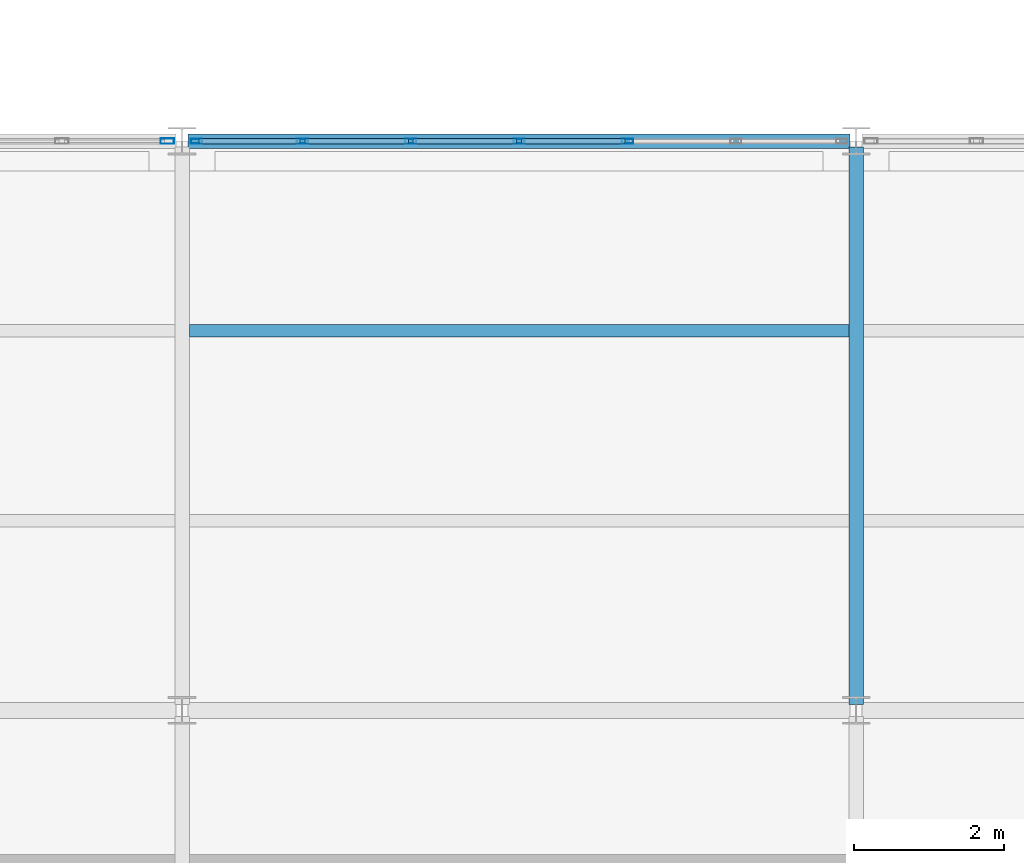
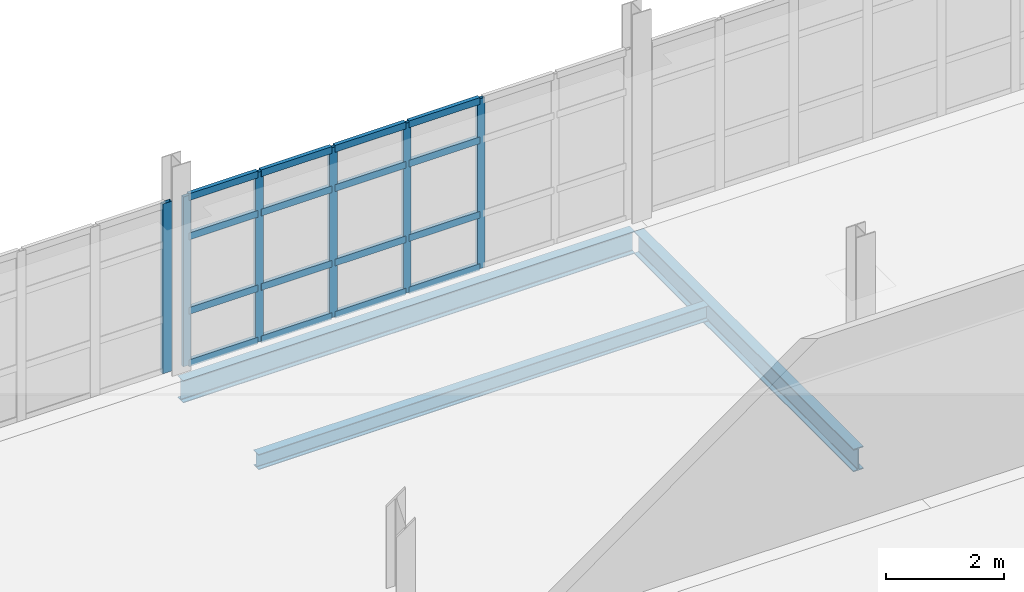
# One storey, part 55 of 174: 22 members, 3 beams, 2 elements without a shape of their own.
"""IFC4 building model written with IfcOpenShell, lengths in metres."""

from ifc_helpers import new_model, si_unit, direction, frame, origin, origin_2d, place, context, subcontext, project, spatial, hollow_rectangle, i_section, extrude, material, material_profile, profile_set, type_object, element, aggregate, save


model = new_model("IFC4")

# Units and contexts
model_context = context("Model", 3, precision=1e-05, world=origin(), true_north=direction((0.0, 1.0)))
body_context = subcontext(model_context, "Body", "Model", "MODEL_VIEW")
ifc_project = project(units=[si_unit("LENGTHUNIT", "METRE"), si_unit("AREAUNIT", "SQUARE_METRE"), si_unit("VOLUMEUNIT", "CUBIC_METRE"), si_unit("PLANEANGLEUNIT", "RADIAN"), si_unit("MASSUNIT", "GRAM", prefix="KILO")], contexts=[model_context])

# Site, building, storey
site_placement = place(None, origin())
site = spatial("IfcSite", under=ifc_project, at=site_placement, CompositionType="ELEMENT")
building_placement = place(site_placement, origin())
building = spatial("IfcBuilding", under=site, at=building_placement, Name="Caisbarro Railhouse Central Library", CompositionType="ELEMENT")
storey_placement = place(building_placement, frame((0.0, 0.0, 5.0400390625)))
storey = spatial("IfcBuildingStorey", under=building, at=storey_placement, Name="L01", CompositionType="ELEMENT", Elevation=5.0400390625)

# Beams
ifc_material_1 = material(Name="Steel ASTM A572 Grade 50", Category="steel")
ifc_material_profile_1 = material_profile(ifc_material_1, i_section(OverallWidth=0.194091796875, OverallDepth=0.468994140625, WebThickness=0.0126953125, FlangeThickness=0.0205078125, FilletRadius=0.01806640625, at=origin_2d()), Name="W460X106.0")
ifc_profile_set_1 = profile_set([ifc_material_profile_1], Name="Steel ASTM A572 Grade 50")
beam_type_1 = type_object("IfcBeamType", Name="BM-G07", PredefinedType="BEAM", material=ifc_profile_set_1)
beam_1_placement = place(storey_placement, frame((90.0, 22.8798828125, -0.474609375), z_axis=(0.0, 1.0, 0.0), x_axis=(-1.0, 0.0, 0.0)))
element("IfcBeam", 1, at=beam_1_placement, inside=storey, type_object=beam_type_1, Name="G07 beam L01 #741", PredefinedType="BEAM", context=body_context, shape_type="SweptSolid", body=[
    extrude(i_section(OverallWidth=0.194091796875, OverallDepth=0.468994140625, WebThickness=0.0126953125, FlangeThickness=0.0205078125, FilletRadius=0.01806640625, at=origin_2d()), origin(), (0.0, 0.0, 1.0), 7.440185546875),
])
ifc_material_profile_2 = material_profile(ifc_material_1, i_section(OverallWidth=0.1669921875, OverallDepth=0.31689453125, WebThickness=0.007568359375, FlangeThickness=0.01318359375, FilletRadius=0.011962890625, at=origin_2d()), Name="W310X52.0")
ifc_profile_set_2 = profile_set([ifc_material_profile_2], Name="Steel ASTM A572 Grade 50")
beam_type_2 = type_object("IfcBeamType", Name="BM-J02", PredefinedType="JOIST", material=ifc_profile_set_2)
beam_2_placement = place(storey_placement, frame((81.096923828125, 27.86669921875, -0.3984375), z_axis=(1.0, 0.0, 0.0), x_axis=(0.0, 1.0, 0.0)))
element("IfcBeam", 2, at=beam_2_placement, inside=storey, type_object=beam_type_2, Name="J02 beam L01 #777", PredefinedType="JOIST", context=body_context, shape_type="SweptSolid", body=[
    extrude(i_section(OverallWidth=0.1669921875, OverallDepth=0.31689453125, WebThickness=0.007568359375, FlangeThickness=0.01318359375, FilletRadius=0.011962890625, at=origin_2d()), origin(), (0.0, 0.0, 1.0), 8.80615234375),
])
ifc_material_profile_3 = material_profile(ifc_material_1, i_section(OverallWidth=0.18994140625, OverallDepth=0.45703125, WebThickness=0.009033203125, FlangeThickness=0.014404296875, FilletRadius=0.01806640625, at=origin_2d()), Name="W460X74.0")
ifc_profile_set_3 = profile_set([ifc_material_profile_3], Name="Steel ASTM A572 Grade 50")
beam_type_3 = type_object("IfcBeamType", Name="BM-SP01", PredefinedType="SPANDREL", material=ifc_profile_set_3)
beam_3_placement = place(storey_placement, frame((81.080078125, 30.39990234375, -0.468505859375), z_axis=(1.0, 0.0, 0.0), x_axis=(0.0, 1.0, 0.0)))
element("IfcBeam", 3, at=beam_3_placement, inside=storey, type_object=beam_type_3, Name="SP01 beam L01 #719", PredefinedType="SPANDREL", context=body_context, shape_type="SweptSolid", body=[
    extrude(i_section(OverallWidth=0.18994140625, OverallDepth=0.45703125, WebThickness=0.009033203125, FlangeThickness=0.014404296875, FilletRadius=0.01806640625, at=origin_2d()), origin(), (0.0, 0.0, 1.0), 8.83984375),
])

# Curtain wall, member
ifc_material_2 = material(Name="Anodised architectural aluminium", Category="aluminium")
curtain_wall_type = type_object("IfcCurtainWallType", Name="CW-CW02", PredefinedType="NOTDEFINED", material=ifc_material_2)
curtain_wall_1_placement = place(storey_placement, origin())
curtain_wall_1 = element("IfcCurtainWall", 4, at=curtain_wall_1_placement, inside=storey, type_object=curtain_wall_type, Name="CW02 curtain wall L01 #54", PredefinedType="NOTDEFINED")
ifc_material_profile_4 = material_profile(ifc_material_2, hollow_rectangle(XDim=0.074951171875, YDim=0.179931640625, WallThickness=0.00439453125, at=origin_2d()), Name="ALU-MUL-75X180")
ifc_profile_set_4 = profile_set([ifc_material_profile_4], Name="Anodised architectural aluminium")
member_type_1 = type_object("IfcMemberType", Name="CWM-M01", PredefinedType="MULLION", material=ifc_profile_set_4)
member_1_placement = place(storey_placement, frame((80.802490234375, 30.39990234375, 0.0), z_axis=(0.0, 0.0, 1.0), x_axis=(0.0, 1.0, 0.0)))
member_1 = element("IfcMember", 5, at=member_1_placement, type_object=member_type_1, Name="CW02 mullion 7", PredefinedType="MULLION", context=body_context, shape_type="SweptSolid", body=[
    extrude(hollow_rectangle(XDim=0.074951171875, YDim=0.179931640625, WallThickness=0.00439453125, at=origin_2d()), origin(), (0.0, 0.0, 1.0), 3.510009765625),
])
aggregate(curtain_wall_1, [member_1])

# Curtain wall, members
curtain_wall_2_placement = place(storey_placement, origin())
curtain_wall_2 = element("IfcCurtainWall", 6, at=curtain_wall_2_placement, inside=storey, type_object=curtain_wall_type, Name="CW02 curtain wall L01 #55", PredefinedType="NOTDEFINED")
ifc_material_profile_5 = material_profile(ifc_material_2, hollow_rectangle(XDim=0.06494140625, YDim=0.14990234375, WallThickness=0.00390625, at=origin_2d()), Name="ALU-MUL-65X150")
ifc_profile_set_5 = profile_set([ifc_material_profile_5], Name="Anodised architectural aluminium")
member_type_2 = type_object("IfcMemberType", Name="CWM-M02", PredefinedType="MULLION", material=ifc_profile_set_5)
member_2_placement = place(storey_placement, frame((81.1923828125, 30.39990234375, 0.0), z_axis=(0.0, 0.0, 1.0), x_axis=(0.0, 1.0, 0.0)))
member_2 = element("IfcMember", 7, at=member_2_placement, type_object=member_type_2, Name="CW02 mullion 1", PredefinedType="MULLION", context=body_context, shape_type="SweptSolid", body=[
    extrude(hollow_rectangle(XDim=0.06494140625, YDim=0.14990234375, WallThickness=0.00390625, at=origin_2d()), origin(), (0.0, 0.0, 1.0), 3.510009765625),
])
member_3_placement = place(storey_placement, frame((82.606689453125, 30.39990234375, 0.0), z_axis=(0.0, 0.0, 1.0), x_axis=(0.0, 1.0, 0.0)))
member_3 = element("IfcMember", 8, at=member_3_placement, type_object=member_type_2, Name="CW02 mullion 2", PredefinedType="MULLION", context=body_context, shape_type="SweptSolid", body=[
    extrude(hollow_rectangle(XDim=0.06494140625, YDim=0.14990234375, WallThickness=0.00390625, at=origin_2d()), origin(), (0.0, 0.0, 1.0), 3.510009765625),
])
member_4_placement = place(storey_placement, frame((84.05322265625, 30.39990234375, 0.0), z_axis=(0.0, 0.0, 1.0), x_axis=(0.0, 1.0, 0.0)))
member_4 = element("IfcMember", 9, at=member_4_placement, type_object=member_type_2, Name="CW02 mullion 3", PredefinedType="MULLION", context=body_context, shape_type="SweptSolid", body=[
    extrude(hollow_rectangle(XDim=0.06494140625, YDim=0.14990234375, WallThickness=0.00390625, at=origin_2d()), origin(), (0.0, 0.0, 1.0), 3.510009765625),
])
member_5_placement = place(storey_placement, frame((85.5, 30.39990234375, 0.0), z_axis=(0.0, 0.0, 1.0), x_axis=(0.0, 1.0, 0.0)))
member_5 = element("IfcMember", 10, at=member_5_placement, type_object=member_type_2, Name="CW02 mullion 4", PredefinedType="MULLION", context=body_context, shape_type="SweptSolid", body=[
    extrude(hollow_rectangle(XDim=0.06494140625, YDim=0.14990234375, WallThickness=0.00390625, at=origin_2d()), origin(), (0.0, 0.0, 1.0), 3.510009765625),
])
member_6_placement = place(storey_placement, frame((86.94677734375, 30.39990234375, 0.0), z_axis=(0.0, 0.0, 1.0), x_axis=(0.0, 1.0, 0.0)))
member_6 = element("IfcMember", 11, at=member_6_placement, type_object=member_type_2, Name="CW02 mullion 5", PredefinedType="MULLION", context=body_context, shape_type="SweptSolid", body=[
    extrude(hollow_rectangle(XDim=0.06494140625, YDim=0.14990234375, WallThickness=0.00390625, at=origin_2d()), origin(), (0.0, 0.0, 1.0), 3.510009765625),
])
ifc_material_profile_6 = material_profile(ifc_material_2, hollow_rectangle(XDim=0.074951171875, YDim=0.139892578125, WallThickness=0.00390625, at=origin_2d()), Name="ALU-TRN-75X140")
ifc_profile_set_6 = profile_set([ifc_material_profile_6], Name="Anodised architectural aluminium")
member_type_3 = type_object("IfcMemberType", Name="CWT-T01", PredefinedType="USERDEFINED", material=ifc_profile_set_6)
member_7_placement = place(storey_placement, frame((81.22509765625, 30.39990234375, 0.037353515625), z_axis=(1.0, 0.0, 0.0), x_axis=(0.0, 1.0, 0.0)))
member_7 = element("IfcMember", 12, at=member_7_placement, type_object=member_type_3, Name="CW02 transom 1.1", ObjectType="TRANSOM", PredefinedType="USERDEFINED", context=body_context, shape_type="SweptSolid", body=[
    extrude(hollow_rectangle(XDim=0.074951171875, YDim=0.139892578125, WallThickness=0.00390625, at=origin_2d()), origin(), (0.0, 0.0, 1.0), 1.34912109375),
])
member_8_placement = place(storey_placement, frame((81.22509765625, 30.39990234375, 1.119873046875), z_axis=(1.0, 0.0, 0.0), x_axis=(0.0, 1.0, 0.0)))
member_8 = element("IfcMember", 13, at=member_8_placement, type_object=member_type_3, Name="CW02 transom 1.2", ObjectType="TRANSOM", PredefinedType="USERDEFINED", context=body_context, shape_type="SweptSolid", body=[
    extrude(hollow_rectangle(XDim=0.074951171875, YDim=0.139892578125, WallThickness=0.00390625, at=origin_2d()), origin(), (0.0, 0.0, 1.0), 1.34912109375),
])
member_9_placement = place(storey_placement, frame((81.22509765625, 30.39990234375, 2.659912109375), z_axis=(1.0, 0.0, 0.0), x_axis=(0.0, 1.0, 0.0)))
member_9 = element("IfcMember", 14, at=member_9_placement, type_object=member_type_3, Name="CW02 transom 1.3", ObjectType="TRANSOM", PredefinedType="USERDEFINED", context=body_context, shape_type="SweptSolid", body=[
    extrude(hollow_rectangle(XDim=0.074951171875, YDim=0.139892578125, WallThickness=0.00390625, at=origin_2d()), origin(), (0.0, 0.0, 1.0), 1.34912109375),
])
member_10_placement = place(storey_placement, frame((81.22509765625, 30.39990234375, 3.472412109375), z_axis=(1.0, 0.0, 0.0), x_axis=(0.0, 1.0, 0.0)))
member_10 = element("IfcMember", 15, at=member_10_placement, type_object=member_type_3, Name="CW02 transom 1.4", ObjectType="TRANSOM", PredefinedType="USERDEFINED", context=body_context, shape_type="SweptSolid", body=[
    extrude(hollow_rectangle(XDim=0.074951171875, YDim=0.139892578125, WallThickness=0.00390625, at=origin_2d()), origin(), (0.0, 0.0, 1.0), 1.34912109375),
])
member_11_placement = place(storey_placement, frame((82.63916015625, 30.39990234375, 0.037353515625), z_axis=(1.0, 0.0, 0.0), x_axis=(0.0, 1.0, 0.0)))
member_11 = element("IfcMember", 16, at=member_11_placement, type_object=member_type_3, Name="CW02 transom 2.1", ObjectType="TRANSOM", PredefinedType="USERDEFINED", context=body_context, shape_type="SweptSolid", body=[
    extrude(hollow_rectangle(XDim=0.074951171875, YDim=0.139892578125, WallThickness=0.00390625, at=origin_2d()), origin(), (0.0, 0.0, 1.0), 1.381591796875),
])
member_12_placement = place(storey_placement, frame((82.63916015625, 30.39990234375, 1.119873046875), z_axis=(1.0, 0.0, 0.0), x_axis=(0.0, 1.0, 0.0)))
member_12 = element("IfcMember", 17, at=member_12_placement, type_object=member_type_3, Name="CW02 transom 2.2", ObjectType="TRANSOM", PredefinedType="USERDEFINED", context=body_context, shape_type="SweptSolid", body=[
    extrude(hollow_rectangle(XDim=0.074951171875, YDim=0.139892578125, WallThickness=0.00390625, at=origin_2d()), origin(), (0.0, 0.0, 1.0), 1.381591796875),
])
member_13_placement = place(storey_placement, frame((82.63916015625, 30.39990234375, 2.659912109375), z_axis=(1.0, 0.0, 0.0), x_axis=(0.0, 1.0, 0.0)))
member_13 = element("IfcMember", 18, at=member_13_placement, type_object=member_type_3, Name="CW02 transom 2.3", ObjectType="TRANSOM", PredefinedType="USERDEFINED", context=body_context, shape_type="SweptSolid", body=[
    extrude(hollow_rectangle(XDim=0.074951171875, YDim=0.139892578125, WallThickness=0.00390625, at=origin_2d()), origin(), (0.0, 0.0, 1.0), 1.381591796875),
])
member_14_placement = place(storey_placement, frame((82.63916015625, 30.39990234375, 3.472412109375), z_axis=(1.0, 0.0, 0.0), x_axis=(0.0, 1.0, 0.0)))
member_14 = element("IfcMember", 19, at=member_14_placement, type_object=member_type_3, Name="CW02 transom 2.4", ObjectType="TRANSOM", PredefinedType="USERDEFINED", context=body_context, shape_type="SweptSolid", body=[
    extrude(hollow_rectangle(XDim=0.074951171875, YDim=0.139892578125, WallThickness=0.00390625, at=origin_2d()), origin(), (0.0, 0.0, 1.0), 1.381591796875),
])
member_15_placement = place(storey_placement, frame((84.0859375, 30.39990234375, 0.037353515625), z_axis=(1.0, 0.0, 0.0), x_axis=(0.0, 1.0, 0.0)))
member_15 = element("IfcMember", 20, at=member_15_placement, type_object=member_type_3, Name="CW02 transom 3.1", ObjectType="TRANSOM", PredefinedType="USERDEFINED", context=body_context, shape_type="SweptSolid", body=[
    extrude(hollow_rectangle(XDim=0.074951171875, YDim=0.139892578125, WallThickness=0.00390625, at=origin_2d()), origin(), (0.0, 0.0, 1.0), 1.381591796875),
])
member_16_placement = place(storey_placement, frame((84.0859375, 30.39990234375, 1.119873046875), z_axis=(1.0, 0.0, 0.0), x_axis=(0.0, 1.0, 0.0)))
member_16 = element("IfcMember", 21, at=member_16_placement, type_object=member_type_3, Name="CW02 transom 3.2", ObjectType="TRANSOM", PredefinedType="USERDEFINED", context=body_context, shape_type="SweptSolid", body=[
    extrude(hollow_rectangle(XDim=0.074951171875, YDim=0.139892578125, WallThickness=0.00390625, at=origin_2d()), origin(), (0.0, 0.0, 1.0), 1.381591796875),
])
member_17_placement = place(storey_placement, frame((84.0859375, 30.39990234375, 2.659912109375), z_axis=(1.0, 0.0, 0.0), x_axis=(0.0, 1.0, 0.0)))
member_17 = element("IfcMember", 22, at=member_17_placement, type_object=member_type_3, Name="CW02 transom 3.3", ObjectType="TRANSOM", PredefinedType="USERDEFINED", context=body_context, shape_type="SweptSolid", body=[
    extrude(hollow_rectangle(XDim=0.074951171875, YDim=0.139892578125, WallThickness=0.00390625, at=origin_2d()), origin(), (0.0, 0.0, 1.0), 1.381591796875),
])
member_18_placement = place(storey_placement, frame((84.0859375, 30.39990234375, 3.472412109375), z_axis=(1.0, 0.0, 0.0), x_axis=(0.0, 1.0, 0.0)))
member_18 = element("IfcMember", 23, at=member_18_placement, type_object=member_type_3, Name="CW02 transom 3.4", ObjectType="TRANSOM", PredefinedType="USERDEFINED", context=body_context, shape_type="SweptSolid", body=[
    extrude(hollow_rectangle(XDim=0.074951171875, YDim=0.139892578125, WallThickness=0.00390625, at=origin_2d()), origin(), (0.0, 0.0, 1.0), 1.381591796875),
])
member_19_placement = place(storey_placement, frame((85.532470703125, 30.39990234375, 0.037353515625), z_axis=(1.0, 0.0, 0.0), x_axis=(0.0, 1.0, 0.0)))
member_19 = element("IfcMember", 24, at=member_19_placement, type_object=member_type_3, Name="CW02 transom 4.1", ObjectType="TRANSOM", PredefinedType="USERDEFINED", context=body_context, shape_type="SweptSolid", body=[
    extrude(hollow_rectangle(XDim=0.074951171875, YDim=0.139892578125, WallThickness=0.00390625, at=origin_2d()), origin(), (0.0, 0.0, 1.0), 1.381591796875),
])
member_20_placement = place(storey_placement, frame((85.532470703125, 30.39990234375, 1.119873046875), z_axis=(1.0, 0.0, 0.0), x_axis=(0.0, 1.0, 0.0)))
member_20 = element("IfcMember", 25, at=member_20_placement, type_object=member_type_3, Name="CW02 transom 4.2", ObjectType="TRANSOM", PredefinedType="USERDEFINED", context=body_context, shape_type="SweptSolid", body=[
    extrude(hollow_rectangle(XDim=0.074951171875, YDim=0.139892578125, WallThickness=0.00390625, at=origin_2d()), origin(), (0.0, 0.0, 1.0), 1.381591796875),
])
member_21_placement = place(storey_placement, frame((85.532470703125, 30.39990234375, 2.659912109375), z_axis=(1.0, 0.0, 0.0), x_axis=(0.0, 1.0, 0.0)))
member_21 = element("IfcMember", 26, at=member_21_placement, type_object=member_type_3, Name="CW02 transom 4.3", ObjectType="TRANSOM", PredefinedType="USERDEFINED", context=body_context, shape_type="SweptSolid", body=[
    extrude(hollow_rectangle(XDim=0.074951171875, YDim=0.139892578125, WallThickness=0.00390625, at=origin_2d()), origin(), (0.0, 0.0, 1.0), 1.381591796875),
])
member_22_placement = place(storey_placement, frame((85.532470703125, 30.39990234375, 3.472412109375), z_axis=(1.0, 0.0, 0.0), x_axis=(0.0, 1.0, 0.0)))
member_22 = element("IfcMember", 27, at=member_22_placement, type_object=member_type_3, Name="CW02 transom 4.4", ObjectType="TRANSOM", PredefinedType="USERDEFINED", context=body_context, shape_type="SweptSolid", body=[
    extrude(hollow_rectangle(XDim=0.074951171875, YDim=0.139892578125, WallThickness=0.00390625, at=origin_2d()), origin(), (0.0, 0.0, 1.0), 1.381591796875),
])
aggregate(curtain_wall_2, [member_2, member_3, member_4, member_5, member_6, member_7, member_8, member_9, member_10, member_11, member_12, member_13, member_14, member_15, member_16, member_17, member_18, member_19, member_20, member_21, member_22])

save(model, "model.ifc")
